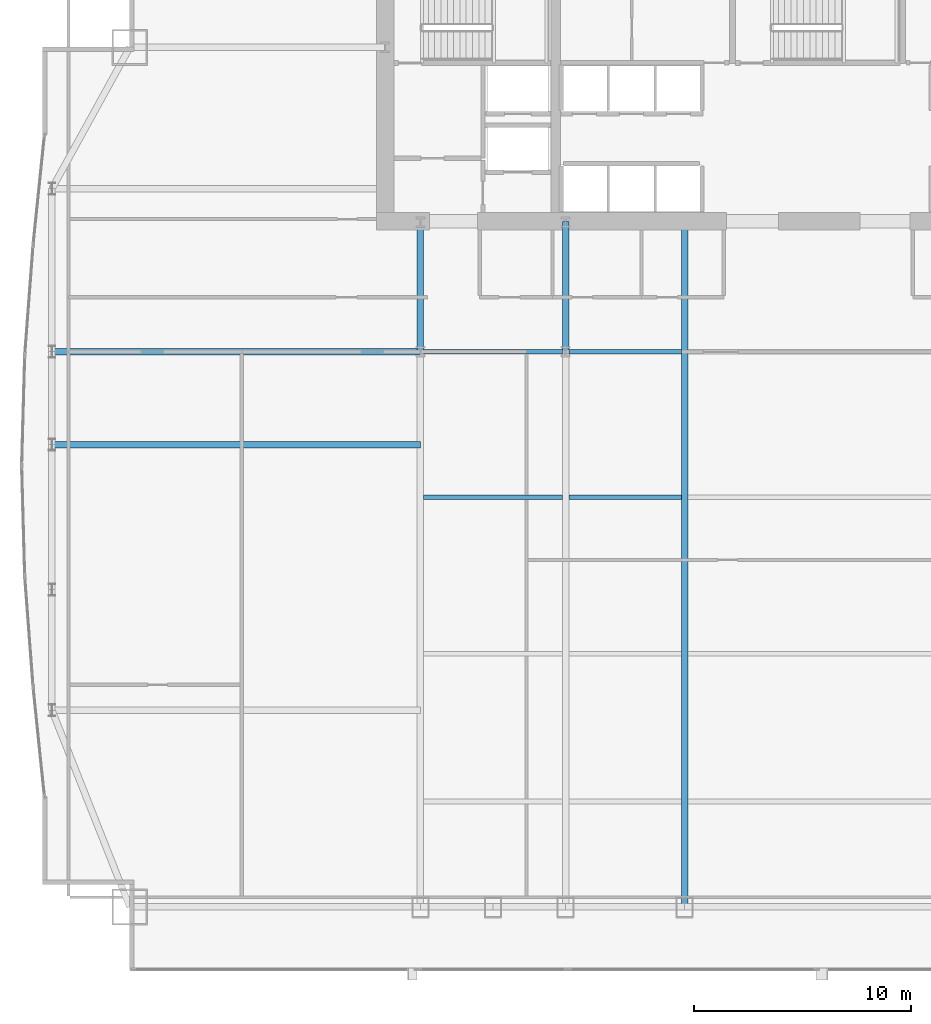
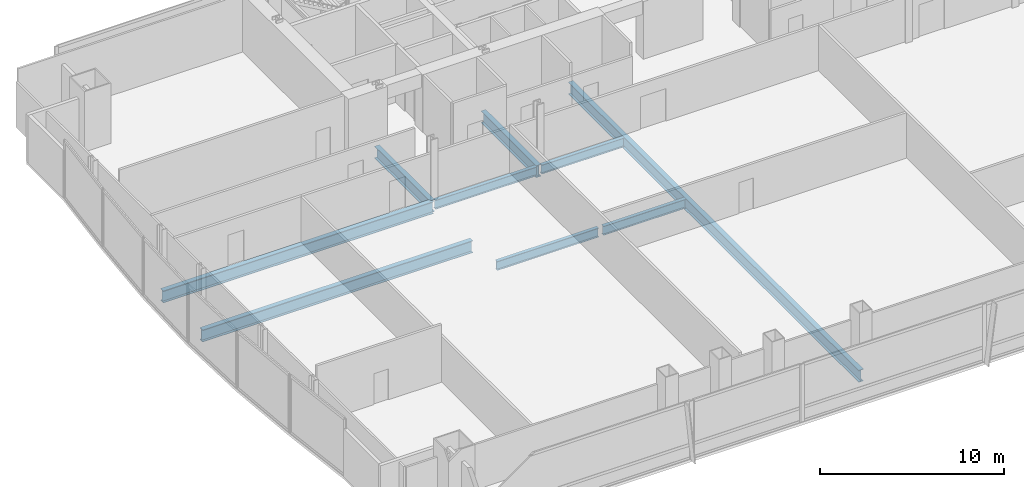
# One storey, part 11 of 32: 9 beams.
"""IFC4 building model written with IfcOpenShell, lengths in metres."""

from ifc_helpers import new_model, si_unit, direction, frame, origin, origin_2d, place, context, subcontext, project, spatial, i_section, extrude, material, material_profile, profile_set, type_object, element, save


model = new_model("IFC4")

# Units and contexts
model_context = context("Model", 3, precision=1e-05, world=origin(), true_north=direction((0.0, 1.0)))
body_context = subcontext(model_context, "Body", "Model", "MODEL_VIEW")
ifc_project = project(units=[si_unit("LENGTHUNIT", "METRE"), si_unit("AREAUNIT", "SQUARE_METRE"), si_unit("VOLUMEUNIT", "CUBIC_METRE"), si_unit("PLANEANGLEUNIT", "RADIAN"), si_unit("MASSUNIT", "GRAM", prefix="KILO")], contexts=[model_context])

# Site, building, storey
site_placement = place(None, origin())
site = spatial("IfcSite", under=ifc_project, at=site_placement, CompositionType="ELEMENT")
building_placement = place(site_placement, origin())
building = spatial("IfcBuilding", under=site, at=building_placement, Name="Khoronbel Lancet Exchange", CompositionType="ELEMENT")
storey_placement = place(building_placement, frame((0.0, 0.0, 29.800048828125)))
storey = spatial("IfcBuildingStorey", under=building, at=storey_placement, Name="L06", CompositionType="ELEMENT", Elevation=29.800048828125)

# Beams
ifc_material = material(Name="Steel S355", Category="steel")
ifc_material_profile_1 = material_profile(ifc_material, i_section(OverallWidth=0.300048828125, OverallDepth=0.800048828125, WebThickness=0.017578125, FlangeThickness=0.032958984375, at=origin_2d()), Name="HEB 800")
ifc_profile_set_1 = profile_set([ifc_material_profile_1], Name="Steel S355")
beam_type_1 = type_object("IfcBeamType", Name="BM-BG2", PredefinedType="BEAM", material=ifc_profile_set_1)
for number, where, z_axis, x_axis, name in (
    (1, (18.22509765625, 35.699951171875, -0.580078125), (0.0, 1.0, 0.0), (-1.0, 0.0, 0.0), "Level L06 spine tie girder GN1"),
    (2, (24.89990234375, 35.699951171875, -0.580078125), (0.0, 1.0, 0.0), (-1.0, 0.0, 0.0), "Level L06 spine tie girder GN2"),
):
    element("IfcBeam", number, at=place(storey_placement, frame(where, z_axis=z_axis, x_axis=x_axis)), inside=storey, type_object=beam_type_1, Name=name, PredefinedType="BEAM", context=body_context, shape_type="SweptSolid", body=[
        extrude(i_section(OverallWidth=0.300048828125, OverallDepth=0.800048828125, WebThickness=0.017578125, FlangeThickness=0.032958984375, at=origin_2d()), origin(), (0.0, 0.0, 1.0), 6.0),
    ])
beam_1_placement = place(storey_placement, frame((30.375, 10.14990234375, -0.580078125), z_axis=(0.0, 1.0, 0.0), x_axis=(-1.0, 0.0, 0.0)))
element("IfcBeam", 3, at=beam_1_placement, inside=storey, type_object=beam_type_1, Name="Level L06 primary floor girder G3", PredefinedType="BEAM", context=body_context, shape_type="SweptSolid", body=[
    extrude(i_section(OverallWidth=0.300048828125, OverallDepth=0.800048828125, WebThickness=0.017578125, FlangeThickness=0.032958984375, at=origin_2d()), origin(), (0.0, 0.0, 1.0), 31.550048828125),
])
for number, where, z_axis, x_axis, name in (
    (4, (1.27001953125, 31.425048828125, -0.580078125), (1.0, 0.0, 0.0), (0.0, 1.0, 0.0), "Level L06 west lens tie girder LG2W"),
    (5, (1.27001953125, 35.699951171875, -0.580078125), (1.0, 0.0, 0.0), (0.0, 1.0, 0.0), "Level L06 west lens tie girder LG4W"),
):
    element("IfcBeam", number, at=place(storey_placement, frame(where, z_axis=z_axis, x_axis=x_axis)), inside=storey, type_object=beam_type_1, Name=name, PredefinedType="BEAM", context=body_context, shape_type="SweptSolid", body=[
        extrude(i_section(OverallWidth=0.300048828125, OverallDepth=0.800048828125, WebThickness=0.017578125, FlangeThickness=0.032958984375, at=origin_2d()), origin(), (0.0, 0.0, 1.0), 16.955078125),
    ])
ifc_material_profile_2 = material_profile(ifc_material, i_section(OverallWidth=0.219970703125, OverallDepth=0.60009765625, WebThickness=0.011962890625, FlangeThickness=0.01904296875, at=origin_2d()), Name="IPE 600")
ifc_profile_set_2 = profile_set([ifc_material_profile_2], Name="Steel S355")
beam_type_2 = type_object("IfcBeamType", Name="BM-BJ1", PredefinedType="JOIST", material=ifc_profile_set_2)
beam_2_placement = place(storey_placement, frame((18.375, 29.0, -0.47998046875), z_axis=(1.0, 0.0, 0.0), x_axis=(0.0, 1.0, 0.0)))
element("IfcBeam", 6, at=beam_2_placement, inside=storey, type_object=beam_type_2, Name="Level L06 secondary composite joist J11", PredefinedType="JOIST", context=body_context, shape_type="SweptSolid", body=[
    extrude(i_section(OverallWidth=0.219970703125, OverallDepth=0.60009765625, WebThickness=0.011962890625, FlangeThickness=0.01904296875, at=origin_2d()), origin(), (0.0, 0.0, 1.0), 6.375),
])
beam_3_placement = place(storey_placement, frame((25.050048828125, 29.0, -0.47998046875), z_axis=(1.0, 0.0, 0.0), x_axis=(0.0, 1.0, 0.0)))
element("IfcBeam", 7, at=beam_3_placement, inside=storey, type_object=beam_type_2, Name="Level L06 secondary composite joist J12", PredefinedType="JOIST", context=body_context, shape_type="SweptSolid", body=[
    extrude(i_section(OverallWidth=0.219970703125, OverallDepth=0.60009765625, WebThickness=0.011962890625, FlangeThickness=0.01904296875, at=origin_2d()), origin(), (0.0, 0.0, 1.0), 5.175048828125),
])
beam_4_placement = place(storey_placement, frame((18.375, 35.699951171875, -0.47998046875), z_axis=(1.0, 0.0, 0.0), x_axis=(0.0, 1.0, 0.0)))
element("IfcBeam", 8, at=beam_4_placement, inside=storey, type_object=beam_type_2, Name="Level L06 secondary composite joist J16", PredefinedType="JOIST", context=body_context, shape_type="SweptSolid", body=[
    extrude(i_section(OverallWidth=0.219970703125, OverallDepth=0.60009765625, WebThickness=0.011962890625, FlangeThickness=0.01904296875, at=origin_2d()), origin(), (0.0, 0.0, 1.0), 6.375),
])
beam_5_placement = place(storey_placement, frame((25.050048828125, 35.699951171875, -0.47998046875), z_axis=(1.0, 0.0, 0.0), x_axis=(0.0, 1.0, 0.0)))
element("IfcBeam", 9, at=beam_5_placement, inside=storey, type_object=beam_type_2, Name="Level L06 secondary composite joist J17", PredefinedType="JOIST", context=body_context, shape_type="SweptSolid", body=[
    extrude(i_section(OverallWidth=0.219970703125, OverallDepth=0.60009765625, WebThickness=0.011962890625, FlangeThickness=0.01904296875, at=origin_2d()), origin(), (0.0, 0.0, 1.0), 5.175048828125),
])

save(model, "model.ifc")
